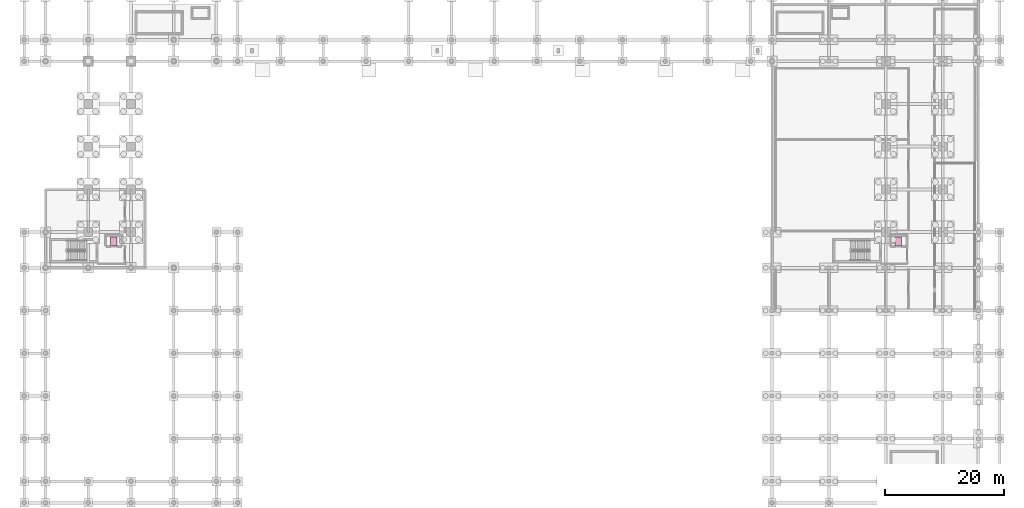
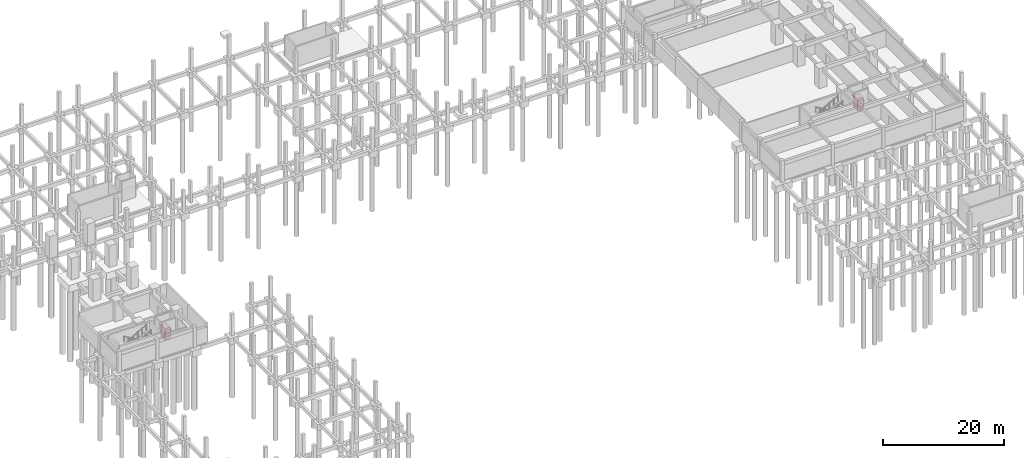
# One storey, part 20 of 20: 2 transport elements.
"""IFC4 building model written with IfcOpenShell, lengths in metres."""

from ifc_helpers import new_model, si_unit, direction, frame, origin, origin_2d, place, context, subcontext, project, spatial, rectangle, extrude, material, type_object, element, save


model = new_model("IFC4")

# Units and contexts
model_context = context("Model", 3, precision=1e-05, world=origin(), true_north=direction((0.0, 1.0)))
body_context = subcontext(model_context, "Body", "Model", "MODEL_VIEW")
ifc_project = project(units=[si_unit("LENGTHUNIT", "METRE"), si_unit("AREAUNIT", "SQUARE_METRE"), si_unit("VOLUMEUNIT", "CUBIC_METRE"), si_unit("PLANEANGLEUNIT", "RADIAN"), si_unit("MASSUNIT", "GRAM", prefix="KILO")], contexts=[model_context])

# Site, building, storey
site_placement = place(None, origin())
site = spatial("IfcSite", under=ifc_project, at=site_placement, CompositionType="ELEMENT")
building_placement = place(site_placement, origin())
building = spatial("IfcBuilding", under=site, at=building_placement, Name="Nzembalo Square Collegiate School", CompositionType="ELEMENT")
storey_placement = place(building_placement, frame((0.0, 0.0, -4.080078125)))
storey = spatial("IfcBuildingStorey", under=building, at=storey_placement, Name="B1", CompositionType="ELEMENT", Elevation=-4.080078125)

# Transport elements
ifc_material = material(Name="Stainless steel S355 cab", Category="steel")
transport_element_type = type_object("IfcTransportElementType", Name="EL01", PredefinedType="ELEVATOR", material=ifc_material)
for number, where, z_axis, x_axis, name in (
    (1, (19.89990234375, 48.824951171875, 0.000244140625), (0.0, 0.0, 1.0), (1.0, 0.0, 0.0), "Passenger lift LF1"),
    (2, (152.10009765625, 48.824951171875, 0.000244140625), (0.0, 0.0, 1.0), (1.0, 0.0, 0.0), "Passenger lift LF4"),
):
    element("IfcTransportElement", number, at=place(storey_placement, frame(where, z_axis=z_axis, x_axis=x_axis)), inside=storey, type_object=transport_element_type, Name=name, PredefinedType="ELEVATOR", context=body_context, shape_type="SweptSolid", body=[
        extrude(rectangle(XDim=1.10009765625, YDim=1.449951171875, at=origin_2d()), origin(), (0.0, 0.0, 1.0), 2.39990234375),
    ])

save(model, "model.ifc")
